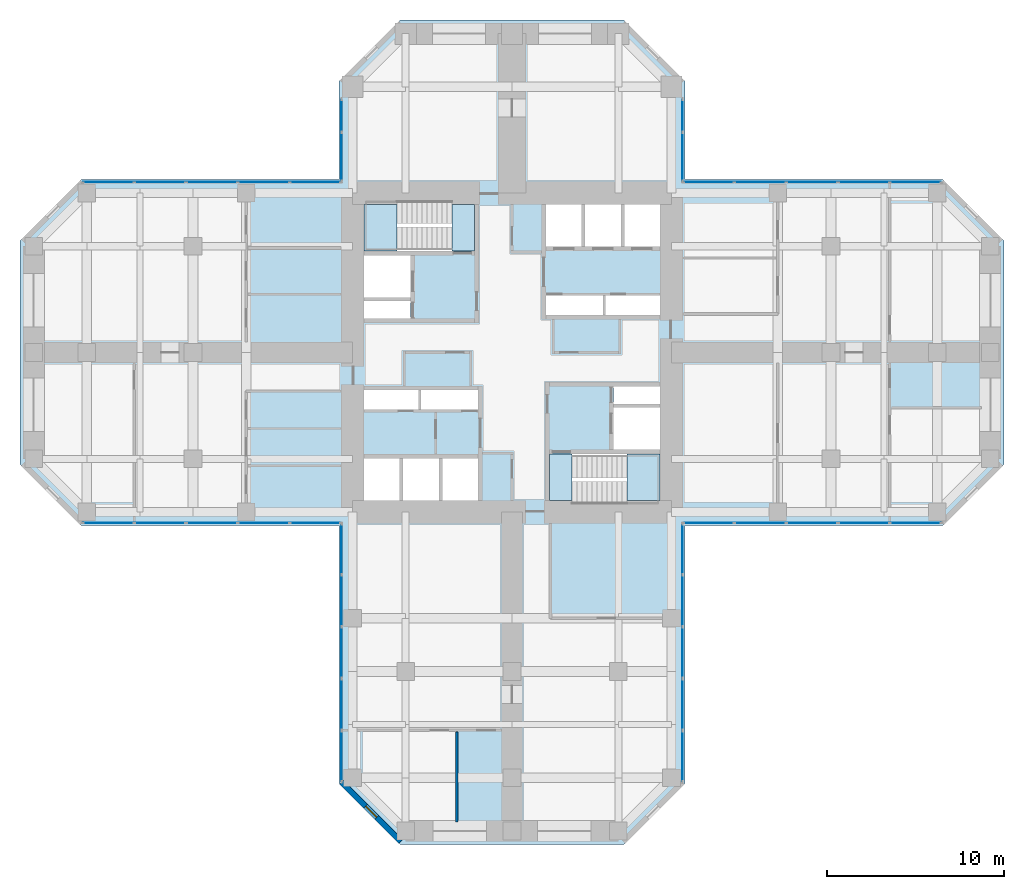
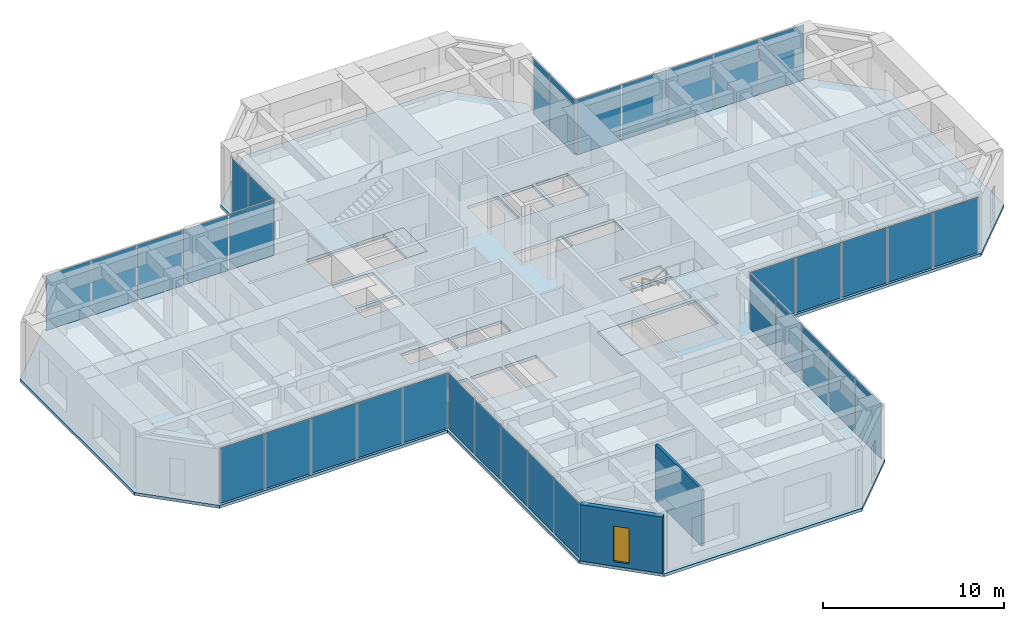
# One storey, part 7 of 12: 34 plates, 5 slabs, 2 walls, 1 window, 1 opening, 10 elements without a shape of their own.
"""IFC4 building model written with IfcOpenShell, lengths in metres."""

from ifc_helpers import new_model, si_unit, direction, frame, frame_2d, origin, origin_2d, place, context, subcontext, project, spatial, polyline, rectangle, hollow_rectangle, outline, extrude, material, layer, layer_set, constituent, constituent_set, type_object, element, fill, aggregate, save


model = new_model("IFC4")

# Units and contexts
model_context = context("Model", 3, precision=1e-05, world=origin(), true_north=direction((0.0, 1.0)))
body_context = subcontext(model_context, "Body", "Model", "MODEL_VIEW")
ifc_project = project(units=[si_unit("LENGTHUNIT", "METRE"), si_unit("AREAUNIT", "SQUARE_METRE"), si_unit("VOLUMEUNIT", "CUBIC_METRE"), si_unit("PLANEANGLEUNIT", "RADIAN"), si_unit("MASSUNIT", "GRAM", prefix="KILO")], contexts=[model_context])

# Site, building, storey
site_placement = place(None, origin())
site = spatial("IfcSite", under=ifc_project, at=site_placement, CompositionType="ELEMENT")
building_placement = place(site_placement, origin())
building = spatial("IfcBuilding", under=site, at=building_placement, Name="Torre Cruceta", CompositionType="ELEMENT")
storey_placement = place(building_placement, frame((0.0, 0.0, 108.5)))
storey = spatial("IfcBuildingStorey", under=building, at=storey_placement, Name="L26", CompositionType="ELEMENT", Elevation=108.5)

# Curtain wall, plate
ifc_material_1 = material(Name="Aluminium unitised curtain wall", Category="aluminium")
curtain_wall_type = type_object("IfcCurtainWallType", Name="CURTAIN WALL CW-B OFFICE MID RISE", PredefinedType="USERDEFINED", material=ifc_material_1)
curtain_wall_1_placement = place(storey_placement, origin())
curtain_wall_1 = element("IfcCurtainWall", 1, at=curtain_wall_1_placement, inside=storey, type_object=curtain_wall_type, Name="CW-B L26 E side 00", ObjectType="UNITISED", PredefinedType="USERDEFINED")
ifc_material_2 = material(Name="Laminated insulating glass unit, diagonal frit 50 %", Category="glass")
ifc_material_3 = material(Name="Laminated insulating glass unit, diagonal frit 50 %", Category="glass")
ifc_layer_1 = layer(ifc_material_3, 0.031982421875)
ifc_layer_set_1 = layer_set([ifc_layer_1], Name="Laminated insulating glass unit, diagonal frit 50 %")
plate_type_1 = type_object("IfcPlateType", Name="CW-B OPERABLE VENT PANEL 32", PredefinedType="CURTAIN_PANEL", material=ifc_layer_set_1)
plate_1_placement = place(storey_placement, frame((16.9384765625, -9.6201171875, 0.010009765625), z_axis=(0.0, 0.0, 1.0), x_axis=(1.0, 0.0, 0.0)))
plate_1 = element("IfcPlate", 2, at=plate_1_placement, type_object=plate_type_1, material=ifc_material_2, Name="CW-B vent 3", PredefinedType="CURTAIN_PANEL", context=body_context, shape_type="SweptSolid", body=[
    extrude(rectangle(XDim=2.8623046875, YDim=0.031982421875, at=origin_2d()), origin(), (0.0, 0.0, 1.0), 3.72509765625),
])

curtain_wall_2_placement = place(storey_placement, origin())
curtain_wall_2 = element("IfcCurtainWall", 3, at=curtain_wall_2_placement, inside=storey, type_object=curtain_wall_type, Name="CW-B L26 E side 04", ObjectType="UNITISED", PredefinedType="USERDEFINED")
plate_2_placement = place(storey_placement, frame((16.9384765625, 9.6201171875, 0.010009765625), z_axis=(0.0, 0.0, 1.0), x_axis=(-1.0, 0.0, 0.0)))
plate_2 = element("IfcPlate", 4, at=plate_2_placement, type_object=plate_type_1, material=ifc_material_2, Name="CW-B vent 3", PredefinedType="CURTAIN_PANEL", context=body_context, shape_type="SweptSolid", body=[
    extrude(rectangle(XDim=2.8623046875, YDim=0.031982421875, at=origin_2d()), origin(), (0.0, 0.0, 1.0), 3.72509765625),
])

curtain_wall_3_placement = place(storey_placement, origin())
curtain_wall_3 = element("IfcCurtainWall", 5, at=curtain_wall_3_placement, inside=storey, type_object=curtain_wall_type, Name="CW-B L26 W side 10", ObjectType="UNITISED", PredefinedType="USERDEFINED")
plate_3_placement = place(storey_placement, frame((-16.9384765625, 9.6201171875, 0.010009765625), z_axis=(0.0, 0.0, 1.0), x_axis=(-1.0, 0.0, 0.0)))
plate_3 = element("IfcPlate", 6, at=plate_3_placement, type_object=plate_type_1, material=ifc_material_2, Name="CW-B vent 3", PredefinedType="CURTAIN_PANEL", context=body_context, shape_type="SweptSolid", body=[
    extrude(rectangle(XDim=2.8623046875, YDim=0.031982421875, at=origin_2d()), origin(), (0.0, 0.0, 1.0), 3.72509765625),
])

curtain_wall_4_placement = place(storey_placement, origin())
curtain_wall_4 = element("IfcCurtainWall", 7, at=curtain_wall_4_placement, inside=storey, type_object=curtain_wall_type, Name="CW-B L26 W side 14", ObjectType="UNITISED", PredefinedType="USERDEFINED")
plate_4_placement = place(storey_placement, frame((-16.9384765625, -9.6201171875, 0.010009765625), z_axis=(0.0, 0.0, 1.0), x_axis=(1.0, 0.0, 0.0)))
plate_4 = element("IfcPlate", 8, at=plate_4_placement, type_object=plate_type_1, material=ifc_material_2, Name="CW-B vent 3", PredefinedType="CURTAIN_PANEL", context=body_context, shape_type="SweptSolid", body=[
    extrude(rectangle(XDim=2.8623046875, YDim=0.031982421875, at=origin_2d()), origin(), (0.0, 0.0, 1.0), 3.72509765625),
])

curtain_wall_5_placement = place(storey_placement, origin())
curtain_wall_5 = element("IfcCurtainWall", 9, at=curtain_wall_5_placement, inside=storey, type_object=curtain_wall_type, Name="CW-B L26 S side 15", ObjectType="UNITISED", PredefinedType="USERDEFINED")
plate_5_placement = place(storey_placement, frame((-9.6201171875, -16.9384765625, 0.010009765625), z_axis=(0.0, 0.0, 1.0), x_axis=(0.0, -1.0, 0.0)))
plate_5 = element("IfcPlate", 10, at=plate_5_placement, type_object=plate_type_1, material=ifc_material_2, Name="CW-B vent 3", PredefinedType="CURTAIN_PANEL", context=body_context, shape_type="SweptSolid", body=[
    extrude(rectangle(XDim=2.8623046875, YDim=0.031982421875, at=origin_2d()), origin(), (0.0, 0.0, 1.0), 3.72509765625),
])

curtain_wall_6_placement = place(storey_placement, origin())
curtain_wall_6 = element("IfcCurtainWall", 11, at=curtain_wall_6_placement, inside=storey, type_object=curtain_wall_type, Name="CW-B L26 S side 19", ObjectType="UNITISED", PredefinedType="USERDEFINED")
plate_6_placement = place(storey_placement, frame((9.6201171875, -16.9384765625, 0.010009765625), z_axis=(0.0, 0.0, 1.0), x_axis=(0.0, 1.0, 0.0)))
plate_6 = element("IfcPlate", 12, at=plate_6_placement, type_object=plate_type_1, material=ifc_material_2, Name="CW-B vent 3", PredefinedType="CURTAIN_PANEL", context=body_context, shape_type="SweptSolid", body=[
    extrude(rectangle(XDim=2.8623046875, YDim=0.031982421875, at=origin_2d()), origin(), (0.0, 0.0, 1.0), 3.72509765625),
])

# Plate
ifc_material_4 = material(Name="Laminated insulating glass unit, diagonal frit 50 %", Category="glass")
ifc_layer_2 = layer(ifc_material_4, 0.031982421875)
ifc_layer_set_2 = layer_set([ifc_layer_2], Name="Laminated insulating glass unit, diagonal frit 50 %")
plate_type_2 = type_object("IfcPlateType", Name="CW-B PANEL 32", PredefinedType="CURTAIN_PANEL", material=ifc_layer_set_2)
plate_7_placement = place(storey_placement, frame((11.099853515625, -9.6201171875, 0.010009765625), z_axis=(0.0, 0.0, 1.0), x_axis=(1.0, 0.0, 0.0)))
plate_7 = element("IfcPlate", 13, at=plate_7_placement, type_object=plate_type_2, material=ifc_material_2, Name="CW-B panel 1", PredefinedType="CURTAIN_PANEL", context=body_context, shape_type="SweptSolid", body=[
    extrude(rectangle(XDim=2.829833984375, YDim=0.031982421875, at=origin_2d()), origin(), (0.0, 0.0, 1.0), 3.72509765625),
])

plate_8_placement = place(storey_placement, frame((14.010986328125, -9.6201171875, 0.010009765625), z_axis=(0.0, 0.0, 1.0), x_axis=(1.0, 0.0, 0.0)))
plate_8 = element("IfcPlate", 14, at=plate_8_placement, type_object=plate_type_2, material=ifc_material_2, Name="CW-B panel 2", PredefinedType="CURTAIN_PANEL", context=body_context, shape_type="SweptSolid", body=[
    extrude(rectangle(XDim=2.8623046875, YDim=0.031982421875, at=origin_2d()), origin(), (0.0, 0.0, 1.0), 3.72509765625),
])

plate_9_placement = place(storey_placement, frame((19.86572265625, -9.6201171875, 0.010009765625), z_axis=(0.0, 0.0, 1.0), x_axis=(1.0, 0.0, 0.0)))
plate_9 = element("IfcPlate", 15, at=plate_9_placement, type_object=plate_type_2, material=ifc_material_2, Name="CW-B panel 4", PredefinedType="CURTAIN_PANEL", context=body_context, shape_type="SweptSolid", body=[
    extrude(rectangle(XDim=2.8623046875, YDim=0.031982421875, at=origin_2d()), origin(), (0.0, 0.0, 1.0), 3.72509765625),
])

ifc_material_5 = material(Name="Laminated insulating glass unit, low-iron clear", Category="glass")
plate_10_placement = place(storey_placement, frame((22.77685546875, -9.6201171875, 0.010009765625), z_axis=(0.0, 0.0, 1.0), x_axis=(1.0, 0.0, 0.0)))
plate_10 = element("IfcPlate", 16, at=plate_10_placement, type_object=plate_type_2, material=ifc_material_5, Name="CW-B panel 5", PredefinedType="CURTAIN_PANEL", context=body_context, shape_type="SweptSolid", body=[
    extrude(rectangle(XDim=2.829833984375, YDim=0.031982421875, at=origin_2d()), origin(), (0.0, 0.0, 1.0), 3.72509765625),
])

aggregate(curtain_wall_1, [plate_7, plate_8, plate_1, plate_9, plate_10])

plate_11_placement = place(storey_placement, frame((22.77685546875, 9.6201171875, 0.010009765625), z_axis=(0.0, 0.0, 1.0), x_axis=(-1.0, 0.0, 0.0)))
plate_11 = element("IfcPlate", 17, at=plate_11_placement, type_object=plate_type_2, material=ifc_material_2, Name="CW-B panel 1", PredefinedType="CURTAIN_PANEL", context=body_context, shape_type="SweptSolid", body=[
    extrude(rectangle(XDim=2.829833984375, YDim=0.031982421875, at=origin_2d()), origin(), (0.0, 0.0, 1.0), 3.72509765625),
])

plate_12_placement = place(storey_placement, frame((19.86572265625, 9.6201171875, 0.010009765625), z_axis=(0.0, 0.0, 1.0), x_axis=(-1.0, 0.0, 0.0)))
plate_12 = element("IfcPlate", 18, at=plate_12_placement, type_object=plate_type_2, material=ifc_material_2, Name="CW-B panel 2", PredefinedType="CURTAIN_PANEL", context=body_context, shape_type="SweptSolid", body=[
    extrude(rectangle(XDim=2.8623046875, YDim=0.031982421875, at=origin_2d()), origin(), (0.0, 0.0, 1.0), 3.72509765625),
])

plate_13_placement = place(storey_placement, frame((14.010986328125, 9.6201171875, 0.010009765625), z_axis=(0.0, 0.0, 1.0), x_axis=(-1.0, 0.0, 0.0)))
plate_13 = element("IfcPlate", 19, at=plate_13_placement, type_object=plate_type_2, material=ifc_material_2, Name="CW-B panel 4", PredefinedType="CURTAIN_PANEL", context=body_context, shape_type="SweptSolid", body=[
    extrude(rectangle(XDim=2.8623046875, YDim=0.031982421875, at=origin_2d()), origin(), (0.0, 0.0, 1.0), 3.72509765625),
])

plate_14_placement = place(storey_placement, frame((11.099853515625, 9.6201171875, 0.010009765625), z_axis=(0.0, 0.0, 1.0), x_axis=(-1.0, 0.0, 0.0)))
plate_14 = element("IfcPlate", 20, at=plate_14_placement, type_object=plate_type_2, material=ifc_material_5, Name="CW-B panel 5", PredefinedType="CURTAIN_PANEL", context=body_context, shape_type="SweptSolid", body=[
    extrude(rectangle(XDim=2.829833984375, YDim=0.031982421875, at=origin_2d()), origin(), (0.0, 0.0, 1.0), 3.72509765625),
])

aggregate(curtain_wall_2, [plate_11, plate_12, plate_2, plate_13, plate_14])

# Curtain wall, plates
curtain_wall_7_placement = place(storey_placement, origin())
curtain_wall_7 = element("IfcCurtainWall", 21, at=curtain_wall_7_placement, inside=storey, type_object=curtain_wall_type, Name="CW-B L26 N side 05", ObjectType="UNITISED", PredefinedType="USERDEFINED")
plate_15_placement = place(storey_placement, frame((9.6201171875, 11.04541015625, 0.010009765625), z_axis=(0.0, 0.0, 1.0), x_axis=(0.0, 1.0, 0.0)))
plate_15 = element("IfcPlate", 22, at=plate_15_placement, type_object=plate_type_2, material=ifc_material_2, Name="CW-B panel 1", PredefinedType="CURTAIN_PANEL", context=body_context, shape_type="SweptSolid", body=[
    extrude(rectangle(XDim=2.720947265625, YDim=0.031982421875, at=origin_2d()), origin(), (0.0, 0.0, 1.0), 3.72509765625),
])
plate_16_placement = place(storey_placement, frame((9.6201171875, 13.373779296875, 0.010009765625), z_axis=(0.0, 0.0, 1.0), x_axis=(0.0, 1.0, 0.0)))
plate_16 = element("IfcPlate", 23, at=plate_16_placement, type_object=plate_type_2, material=ifc_material_2, Name="CW-B panel 2", PredefinedType="CURTAIN_PANEL", context=body_context, shape_type="SweptSolid", body=[
    extrude(rectangle(XDim=1.8056640625, YDim=0.031982421875, at=origin_2d()), origin(), (0.0, 0.0, 1.0), 3.72509765625),
])
aggregate(curtain_wall_7, [plate_15, plate_16])

curtain_wall_8_placement = place(storey_placement, origin())
curtain_wall_8 = element("IfcCurtainWall", 24, at=curtain_wall_8_placement, inside=storey, type_object=curtain_wall_type, Name="CW-B L26 N side 09", ObjectType="UNITISED", PredefinedType="USERDEFINED")
plate_17_placement = place(storey_placement, frame((-9.6201171875, 13.373779296875, 0.010009765625), z_axis=(0.0, 0.0, 1.0), x_axis=(0.0, -1.0, 0.0)))
plate_17 = element("IfcPlate", 25, at=plate_17_placement, type_object=plate_type_2, material=ifc_material_2, Name="CW-B panel 1", PredefinedType="CURTAIN_PANEL", context=body_context, shape_type="SweptSolid", body=[
    extrude(rectangle(XDim=1.8056640625, YDim=0.031982421875, at=origin_2d()), origin(), (0.0, 0.0, 1.0), 3.72509765625),
])
plate_18_placement = place(storey_placement, frame((-9.6201171875, 11.04541015625, 0.010009765625), z_axis=(0.0, 0.0, 1.0), x_axis=(0.0, -1.0, 0.0)))
plate_18 = element("IfcPlate", 26, at=plate_18_placement, type_object=plate_type_2, material=ifc_material_2, Name="CW-B panel 2", PredefinedType="CURTAIN_PANEL", context=body_context, shape_type="SweptSolid", body=[
    extrude(rectangle(XDim=2.720947265625, YDim=0.031982421875, at=origin_2d()), origin(), (0.0, 0.0, 1.0), 3.72509765625),
])
aggregate(curtain_wall_8, [plate_17, plate_18])

# Plate
plate_19_placement = place(storey_placement, frame((-11.099853515625, 9.6201171875, 0.010009765625), z_axis=(0.0, 0.0, 1.0), x_axis=(-1.0, 0.0, 0.0)))
plate_19 = element("IfcPlate", 27, at=plate_19_placement, type_object=plate_type_2, material=ifc_material_2, Name="CW-B panel 1", PredefinedType="CURTAIN_PANEL", context=body_context, shape_type="SweptSolid", body=[
    extrude(rectangle(XDim=2.829833984375, YDim=0.031982421875, at=origin_2d()), origin(), (0.0, 0.0, 1.0), 3.72509765625),
])

plate_20_placement = place(storey_placement, frame((-14.010986328125, 9.6201171875, 0.010009765625), z_axis=(0.0, 0.0, 1.0), x_axis=(-1.0, 0.0, 0.0)))
plate_20 = element("IfcPlate", 28, at=plate_20_placement, type_object=plate_type_2, material=ifc_material_2, Name="CW-B panel 2", PredefinedType="CURTAIN_PANEL", context=body_context, shape_type="SweptSolid", body=[
    extrude(rectangle(XDim=2.8623046875, YDim=0.031982421875, at=origin_2d()), origin(), (0.0, 0.0, 1.0), 3.72509765625),
])

plate_21_placement = place(storey_placement, frame((-19.86572265625, 9.6201171875, 0.010009765625), z_axis=(0.0, 0.0, 1.0), x_axis=(-1.0, 0.0, 0.0)))
plate_21 = element("IfcPlate", 29, at=plate_21_placement, type_object=plate_type_2, material=ifc_material_2, Name="CW-B panel 4", PredefinedType="CURTAIN_PANEL", context=body_context, shape_type="SweptSolid", body=[
    extrude(rectangle(XDim=2.8623046875, YDim=0.031982421875, at=origin_2d()), origin(), (0.0, 0.0, 1.0), 3.72509765625),
])

plate_22_placement = place(storey_placement, frame((-22.77685546875, 9.6201171875, 0.010009765625), z_axis=(0.0, 0.0, 1.0), x_axis=(-1.0, 0.0, 0.0)))
plate_22 = element("IfcPlate", 30, at=plate_22_placement, type_object=plate_type_2, material=ifc_material_5, Name="CW-B panel 5", PredefinedType="CURTAIN_PANEL", context=body_context, shape_type="SweptSolid", body=[
    extrude(rectangle(XDim=2.829833984375, YDim=0.031982421875, at=origin_2d()), origin(), (0.0, 0.0, 1.0), 3.72509765625),
])

aggregate(curtain_wall_3, [plate_19, plate_20, plate_3, plate_21, plate_22])

plate_23_placement = place(storey_placement, frame((-22.77685546875, -9.6201171875, 0.010009765625), z_axis=(0.0, 0.0, 1.0), x_axis=(1.0, 0.0, 0.0)))
plate_23 = element("IfcPlate", 31, at=plate_23_placement, type_object=plate_type_2, material=ifc_material_2, Name="CW-B panel 1", PredefinedType="CURTAIN_PANEL", context=body_context, shape_type="SweptSolid", body=[
    extrude(rectangle(XDim=2.829833984375, YDim=0.031982421875, at=origin_2d()), origin(), (0.0, 0.0, 1.0), 3.72509765625),
])

plate_24_placement = place(storey_placement, frame((-19.86572265625, -9.6201171875, 0.010009765625), z_axis=(0.0, 0.0, 1.0), x_axis=(1.0, 0.0, 0.0)))
plate_24 = element("IfcPlate", 32, at=plate_24_placement, type_object=plate_type_2, material=ifc_material_2, Name="CW-B panel 2", PredefinedType="CURTAIN_PANEL", context=body_context, shape_type="SweptSolid", body=[
    extrude(rectangle(XDim=2.8623046875, YDim=0.031982421875, at=origin_2d()), origin(), (0.0, 0.0, 1.0), 3.72509765625),
])

plate_25_placement = place(storey_placement, frame((-14.010986328125, -9.6201171875, 0.010009765625), z_axis=(0.0, 0.0, 1.0), x_axis=(1.0, 0.0, 0.0)))
plate_25 = element("IfcPlate", 33, at=plate_25_placement, type_object=plate_type_2, material=ifc_material_2, Name="CW-B panel 4", PredefinedType="CURTAIN_PANEL", context=body_context, shape_type="SweptSolid", body=[
    extrude(rectangle(XDim=2.8623046875, YDim=0.031982421875, at=origin_2d()), origin(), (0.0, 0.0, 1.0), 3.72509765625),
])

plate_26_placement = place(storey_placement, frame((-11.099853515625, -9.6201171875, 0.010009765625), z_axis=(0.0, 0.0, 1.0), x_axis=(1.0, 0.0, 0.0)))
plate_26 = element("IfcPlate", 34, at=plate_26_placement, type_object=plate_type_2, material=ifc_material_5, Name="CW-B panel 5", PredefinedType="CURTAIN_PANEL", context=body_context, shape_type="SweptSolid", body=[
    extrude(rectangle(XDim=2.829833984375, YDim=0.031982421875, at=origin_2d()), origin(), (0.0, 0.0, 1.0), 3.72509765625),
])

aggregate(curtain_wall_4, [plate_23, plate_24, plate_4, plate_25, plate_26])

plate_27_placement = place(storey_placement, frame((-9.6201171875, -11.099853515625, 0.010009765625), z_axis=(0.0, 0.0, 1.0), x_axis=(0.0, -1.0, 0.0)))
plate_27 = element("IfcPlate", 35, at=plate_27_placement, type_object=plate_type_2, material=ifc_material_2, Name="CW-B panel 1", PredefinedType="CURTAIN_PANEL", context=body_context, shape_type="SweptSolid", body=[
    extrude(rectangle(XDim=2.829833984375, YDim=0.031982421875, at=origin_2d()), origin(), (0.0, 0.0, 1.0), 3.72509765625),
])

plate_28_placement = place(storey_placement, frame((-9.6201171875, -14.010986328125, 0.010009765625), z_axis=(0.0, 0.0, 1.0), x_axis=(0.0, -1.0, 0.0)))
plate_28 = element("IfcPlate", 36, at=plate_28_placement, type_object=plate_type_2, material=ifc_material_2, Name="CW-B panel 2", PredefinedType="CURTAIN_PANEL", context=body_context, shape_type="SweptSolid", body=[
    extrude(rectangle(XDim=2.8623046875, YDim=0.031982421875, at=origin_2d()), origin(), (0.0, 0.0, 1.0), 3.72509765625),
])

plate_29_placement = place(storey_placement, frame((-9.6201171875, -19.86572265625, 0.010009765625), z_axis=(0.0, 0.0, 1.0), x_axis=(0.0, -1.0, 0.0)))
plate_29 = element("IfcPlate", 37, at=plate_29_placement, type_object=plate_type_2, material=ifc_material_2, Name="CW-B panel 4", PredefinedType="CURTAIN_PANEL", context=body_context, shape_type="SweptSolid", body=[
    extrude(rectangle(XDim=2.8623046875, YDim=0.031982421875, at=origin_2d()), origin(), (0.0, 0.0, 1.0), 3.72509765625),
])

plate_30_placement = place(storey_placement, frame((-9.6201171875, -22.77685546875, 0.010009765625), z_axis=(0.0, 0.0, 1.0), x_axis=(0.0, -1.0, 0.0)))
plate_30 = element("IfcPlate", 38, at=plate_30_placement, type_object=plate_type_2, material=ifc_material_5, Name="CW-B panel 5", PredefinedType="CURTAIN_PANEL", context=body_context, shape_type="SweptSolid", body=[
    extrude(rectangle(XDim=2.829833984375, YDim=0.031982421875, at=origin_2d()), origin(), (0.0, 0.0, 1.0), 3.72509765625),
])

aggregate(curtain_wall_5, [plate_27, plate_28, plate_5, plate_29, plate_30])

plate_31_placement = place(storey_placement, frame((9.6201171875, -22.77685546875, 0.010009765625), z_axis=(0.0, 0.0, 1.0), x_axis=(0.0, 1.0, 0.0)))
plate_31 = element("IfcPlate", 39, at=plate_31_placement, type_object=plate_type_2, material=ifc_material_2, Name="CW-B panel 1", PredefinedType="CURTAIN_PANEL", context=body_context, shape_type="SweptSolid", body=[
    extrude(rectangle(XDim=2.829833984375, YDim=0.031982421875, at=origin_2d()), origin(), (0.0, 0.0, 1.0), 3.72509765625),
])

plate_32_placement = place(storey_placement, frame((9.6201171875, -19.86572265625, 0.010009765625), z_axis=(0.0, 0.0, 1.0), x_axis=(0.0, 1.0, 0.0)))
plate_32 = element("IfcPlate", 40, at=plate_32_placement, type_object=plate_type_2, material=ifc_material_2, Name="CW-B panel 2", PredefinedType="CURTAIN_PANEL", context=body_context, shape_type="SweptSolid", body=[
    extrude(rectangle(XDim=2.8623046875, YDim=0.031982421875, at=origin_2d()), origin(), (0.0, 0.0, 1.0), 3.72509765625),
])

plate_33_placement = place(storey_placement, frame((9.6201171875, -14.010986328125, 0.010009765625), z_axis=(0.0, 0.0, 1.0), x_axis=(0.0, 1.0, 0.0)))
plate_33 = element("IfcPlate", 41, at=plate_33_placement, type_object=plate_type_2, material=ifc_material_2, Name="CW-B panel 4", PredefinedType="CURTAIN_PANEL", context=body_context, shape_type="SweptSolid", body=[
    extrude(rectangle(XDim=2.8623046875, YDim=0.031982421875, at=origin_2d()), origin(), (0.0, 0.0, 1.0), 3.72509765625),
])

plate_34_placement = place(storey_placement, frame((9.6201171875, -11.099853515625, 0.010009765625), z_axis=(0.0, 0.0, 1.0), x_axis=(0.0, 1.0, 0.0)))
plate_34 = element("IfcPlate", 42, at=plate_34_placement, type_object=plate_type_2, material=ifc_material_5, Name="CW-B panel 5", PredefinedType="CURTAIN_PANEL", context=body_context, shape_type="SweptSolid", body=[
    extrude(rectangle(XDim=2.829833984375, YDim=0.031982421875, at=origin_2d()), origin(), (0.0, 0.0, 1.0), 3.72509765625),
])

aggregate(curtain_wall_6, [plate_31, plate_32, plate_6, plate_33, plate_34])

# Slab
ifc_material_6 = material(Name="Concrete G35 (fck 35 MPa)", Category="concrete")
ifc_layer_3 = layer(ifc_material_6, 0.199951171875)
ifc_layer_set_3 = layer_set([ifc_layer_3], Name="Concrete G35 (fck 35 MPa)")
slab_type_1 = type_object("IfcSlabType", Name="FLOOR SLAB 200", PredefinedType="FLOOR", material=ifc_layer_set_3)
slab_1_placement = place(storey_placement, frame((0.0, 0.0, -0.199951171875)))
element("IfcSlab", 43, at=slab_1_placement, inside=storey, type_object=slab_type_1, Name="Floor Slab L26", PredefinedType="FLOOR", context=body_context, shape_type="SweptSolid", body=[
    extrude(outline(polyline([(9.77001953125, -9.77001953125), (9.77001953125, -24.31884765625), (6.31884765625, -27.77001953125), (-6.31884765625, -27.77001953125), (-9.77001953125, -24.31884765625), (-9.77001953125, -9.77001953125), (-24.31884765625, -9.77001953125), (-27.77001953125, -6.31884765625), (-27.77001953125, 6.31884765625), (-24.31884765625, 9.77001953125), (-9.77001953125, 9.77001953125), (-9.77001953125, 15.31884765625), (-6.31884765625, 18.77001953125), (6.31884765625, 18.77001953125), (9.77001953125, 15.31884765625), (9.77001953125, 9.77001953125), (24.31884765625, 9.77001953125), (27.77001953125, 6.31884765625), (27.77001953125, -6.31884765625), (24.31884765625, -9.77001953125), (9.77001953125, -9.77001953125)]), holes=[polyline([(1.925048828125, 5.97509765625), (3.933349609375, 5.97509765625), (3.933349609375, 8.35009765625), (1.925048828125, 8.35009765625), (1.925048828125, 5.97509765625)]), polyline([(4.13330078125, 5.97509765625), (6.1416015625, 5.97509765625), (6.1416015625, 8.35009765625), (4.13330078125, 8.35009765625), (4.13330078125, 5.97509765625)]), polyline([(6.341552734375, 5.97509765625), (8.35009765625, 5.97509765625), (8.35009765625, 8.35009765625), (6.341552734375, 8.35009765625), (6.341552734375, 5.97509765625)]), polyline([(1.925048828125, 2.125), (5.125, 2.125), (5.125, 3.22509765625), (1.925048828125, 3.22509765625), (1.925048828125, 2.125)]), polyline([(5.27490234375, 2.125), (8.35009765625, 2.125), (8.35009765625, 3.22509765625), (5.27490234375, 3.22509765625), (5.27490234375, 2.125)]), polyline([(-8.35009765625, 3.10009765625), (-5.72509765625, 3.10009765625), (-5.72509765625, 5.47509765625), (-8.35009765625, 5.47509765625), (-8.35009765625, 3.10009765625)]), polyline([(-8.35009765625, 1.925048828125), (-5.72509765625, 1.925048828125), (-5.72509765625, 2.89990234375), (-8.35009765625, 2.89990234375), (-8.35009765625, 1.925048828125)]), polyline([(-3.933349609375, -8.35009765625), (-1.925048828125, -8.35009765625), (-1.925048828125, -5.97509765625), (-3.933349609375, -5.97509765625), (-3.933349609375, -8.35009765625)]), polyline([(-6.1416015625, -8.35009765625), (-4.13330078125, -8.35009765625), (-4.13330078125, -5.97509765625), (-6.1416015625, -5.97509765625), (-6.1416015625, -8.35009765625)]), polyline([(-8.35009765625, -8.35009765625), (-6.341552734375, -8.35009765625), (-6.341552734375, -5.97509765625), (-8.35009765625, -5.97509765625), (-8.35009765625, -8.35009765625)]), polyline([(-5.125, -3.22509765625), (-1.925048828125, -3.22509765625), (-1.925048828125, -2.125), (-5.125, -2.125), (-5.125, -3.22509765625)]), polyline([(-8.35009765625, -3.22509765625), (-5.27490234375, -3.22509765625), (-5.27490234375, -2.125), (-8.35009765625, -2.125), (-8.35009765625, -3.22509765625)]), polyline([(5.72509765625, -5.47509765625), (8.35009765625, -5.47509765625), (8.35009765625, -3.10009765625), (5.72509765625, -3.10009765625), (5.72509765625, -5.47509765625)]), polyline([(5.72509765625, -2.89990234375), (8.35009765625, -2.89990234375), (8.35009765625, -1.925048828125), (5.72509765625, -1.925048828125), (5.72509765625, -2.89990234375)]), polyline([(-8.35009765625, 5.72509765625), (-8.35009765625, 8.35009765625), (-3.39990234375, 8.35009765625), (-2.125, 8.35009765625), (-2.125, 5.72509765625), (-3.39990234375, 5.72509765625), (-8.35009765625, 5.72509765625)]), polyline([(2.125, -5.72509765625), (3.39990234375, -5.72509765625), (8.35009765625, -5.72509765625), (8.35009765625, -8.35009765625), (3.39990234375, -8.35009765625), (2.125, -8.35009765625), (2.125, -5.72509765625)])]), origin(), (0.0, 0.0, 1.0), 0.199951171875),
])

# Stair, slab
ifc_material_7 = material(Name="Concrete G30 (fck 30 MPa)", Category="concrete")
stair_type = type_object("IfcStairType", Name="STAIR HALF-TURN 1300", PredefinedType="HALF_TURN_STAIR", material=ifc_material_7)
stair_1_placement = place(storey_placement, origin())
stair_1 = element("IfcStair", 44, at=stair_1_placement, inside=storey, type_object=stair_type, Name="Stair ST1 L26", PredefinedType="HALF_TURN_STAIR")
ifc_material_8 = material(Name="Concrete G30 (fck 30 MPa)", Category="concrete")
ifc_layer_4 = layer(ifc_material_8, 0.199951171875)
ifc_layer_set_4 = layer_set([ifc_layer_4], Name="Concrete G30 (fck 30 MPa)")
slab_type_2 = type_object("IfcSlabType", Name="STAIR LANDING 200", PredefinedType="LANDING", material=ifc_layer_set_4)
slab_2_placement = place(storey_placement, frame((0.0, 0.0, 1.800048828125)))
slab_2 = element("IfcSlab", 45, at=slab_2_placement, type_object=slab_type_2, Name="ST1 landing 1", PredefinedType="LANDING", context=body_context, shape_type="SweptSolid", body=[
    extrude(outline(polyline([(-8.35009765625, 5.72509765625), (-6.47998046875, 5.72509765625), (-6.47998046875, 8.35009765625), (-8.35009765625, 8.35009765625), (-8.35009765625, 5.72509765625)])), origin(), (0.0, 0.0, 1.0), 0.199951171875),
])
aggregate(stair_1, [slab_2])

stair_2_placement = place(storey_placement, origin())
stair_2 = element("IfcStair", 46, at=stair_2_placement, inside=storey, type_object=stair_type, Name="Stair ST2 L26", PredefinedType="HALF_TURN_STAIR")
slab_3_placement = place(storey_placement, frame((0.0, 0.0, 1.800048828125)))
slab_3 = element("IfcSlab", 47, at=slab_3_placement, type_object=slab_type_2, Name="ST2 landing 1", PredefinedType="LANDING", context=body_context, shape_type="SweptSolid", body=[
    extrude(outline(polyline([(6.47998046875, -8.35009765625), (8.35009765625, -8.35009765625), (8.35009765625, -5.72509765625), (6.47998046875, -5.72509765625), (6.47998046875, -8.35009765625)])), origin(), (0.0, 0.0, 1.0), 0.199951171875),
])
aggregate(stair_2, [slab_3])

# Slabs
slab_4_placement = place(storey_placement, frame((0.0, 0.0, -0.199951171875)))
element("IfcSlab", 48, at=slab_4_placement, inside=storey, type_object=slab_type_2, Name="Stair ST1 floor landing L26", PredefinedType="LANDING", context=body_context, shape_type="SweptSolid", body=[
    extrude(outline(polyline([(-2.125, 8.35009765625), (-2.125, 5.72509765625), (-3.39990234375, 5.72509765625), (-3.39990234375, 8.35009765625), (-2.125, 8.35009765625)])), origin(), (0.0, 0.0, 1.0), 0.199951171875),
])
slab_5_placement = place(storey_placement, frame((0.0, 0.0, -0.199951171875)))
element("IfcSlab", 49, at=slab_5_placement, inside=storey, type_object=slab_type_2, Name="Stair ST2 floor landing L26", PredefinedType="LANDING", context=body_context, shape_type="SweptSolid", body=[
    extrude(outline(polyline([(2.125, -8.35009765625), (2.125, -5.72509765625), (3.39990234375, -5.72509765625), (3.39990234375, -8.35009765625), (2.125, -8.35009765625)])), origin(), (0.0, 0.0, 1.0), 0.199951171875),
])

# Wall, opening, window
ifc_material_9 = material(Name="Concrete G30 (fck 30 MPa)", Category="concrete")
ifc_layer_5 = layer(ifc_material_9, 0.300048828125)
ifc_layer_set_5 = layer_set([ifc_layer_5], Name="Concrete G30 (fck 30 MPa)")
wall_type_1 = type_object("IfcWallType", Name="EXPOSED CONCRETE FACADE WALL 300", PredefinedType="SOLIDWALL", material=ifc_layer_set_5)
wall_1_placement = place(storey_placement, frame((-9.6201171875, -24.2568359375, 0.0), z_axis=(0.0, 0.0, 1.0), x_axis=(0.707106781187, -0.707106781187, 0.0)))
wall_1 = element("IfcWall", 50, at=wall_1_placement, inside=storey, type_object=wall_type_1, Name="EW1 facade wall L26 S chamfer 16", PredefinedType="SOLIDWALL", context=body_context, shape_type="SweptSolid", body=[
    extrude(rectangle(XDim=4.72802734375, YDim=0.300048828125, at=frame_2d((2.364013671875, 0.0))), origin(), (0.0, 0.0, 1.0), 3.800048828125),
])
opening_placement = place(wall_1_placement, frame((1.9140625, 0.0, 0.300048828125)))
opening = element("IfcOpeningElement", 51, at=opening_placement, cuts=wall_1, Name="Opening WN5", PredefinedType="OPENING", context=body_context, shape_type="SweptSolid", body=[
    extrude(rectangle(XDim=0.89990234375, YDim=2.39990234375, at=frame_2d((0.449951171875, 1.199951171875))), frame((0.0, 0.159912109375, 0.0), z_axis=(0.0, -1.0, 0.0), x_axis=(1.0, 0.0, 0.0)), (0.0, 0.0, 1.0), 0.320068359375),
])
ifc_material_10 = material(Name="Aluminium window frame", Category="aluminium")
ifc_constituent_1 = constituent(ifc_material_10, Name="Frame")
ifc_material_11 = material(Name="Laminated insulating glass unit, low-iron clear", Category="glass")
ifc_constituent_2 = constituent(ifc_material_11, Name="Glazing")
ifc_constituent_set = constituent_set(constituents=[ifc_constituent_1, ifc_constituent_2], Name="Aluminium window")
window_type = type_object("IfcWindowType", Name="CHAMFER SLOT WINDOW 900X2400", PartitioningType="SINGLE_PANEL", PredefinedType="WINDOW", material=ifc_constituent_set)
window_placement = place(opening_placement, origin())
window = element("IfcWindow", 52, at=window_placement, inside=storey, type_object=window_type, Name="WN5 L26 S 1", OverallHeight=2.39990234375, OverallWidth=0.89990234375, PartitioningType="SINGLE_PANEL", PredefinedType="WINDOW", context=body_context, shape_type="SweptSolid", body=[
    extrude(hollow_rectangle(XDim=0.89990234375, YDim=2.39990234375, WallThickness=0.06005859375, at=frame_2d((0.449951171875, 1.199951171875))), frame((0.0, 0.030029296875, 0.0), z_axis=(0.0, -1.0, 0.0), x_axis=(1.0, 0.0, 0.0)), (0.0, 0.0, 1.0), 0.06005859375),
    extrude(rectangle(XDim=0.77880859375, YDim=2.27880859375, at=frame_2d((0.449951171875, 1.199951171875))), frame((0.0, 0.030029296875, 0.0), z_axis=(0.0, -1.0, 0.0), x_axis=(1.0, 0.0, 0.0)), (0.0, 0.0, 1.0), 0.06005859375),
])
fill(opening, window)

# Wall
ifc_material_12 = material(Name="Plasterboard on steel studs", Category="steel")
ifc_layer_6 = layer(ifc_material_12, 0.14990234375)
ifc_layer_set_6 = layer_set([ifc_layer_6], Name="Plasterboard on steel studs")
wall_type_2 = type_object("IfcWallType", Name="PARTITION 150", PredefinedType="PARTITIONING", material=ifc_layer_set_6)
wall_2_placement = place(storey_placement, frame((-3.117919921875, -21.419921875, 0.0), z_axis=(0.0, 0.0, 1.0), x_axis=(0.0, -1.0, 0.0)))
element("IfcWall", 53, at=wall_2_placement, inside=storey, type_object=wall_type_2, Name="PT1 L26-S-TDR", PredefinedType="PARTITIONING", context=body_context, shape_type="SweptSolid", body=[
    extrude(rectangle(XDim=5.080078125, YDim=0.14990234375, at=frame_2d((2.5400390625, 0.0))), origin(), (0.0, 0.0, 1.0), 3.800048828125),
])

save(model, "model.ifc")
